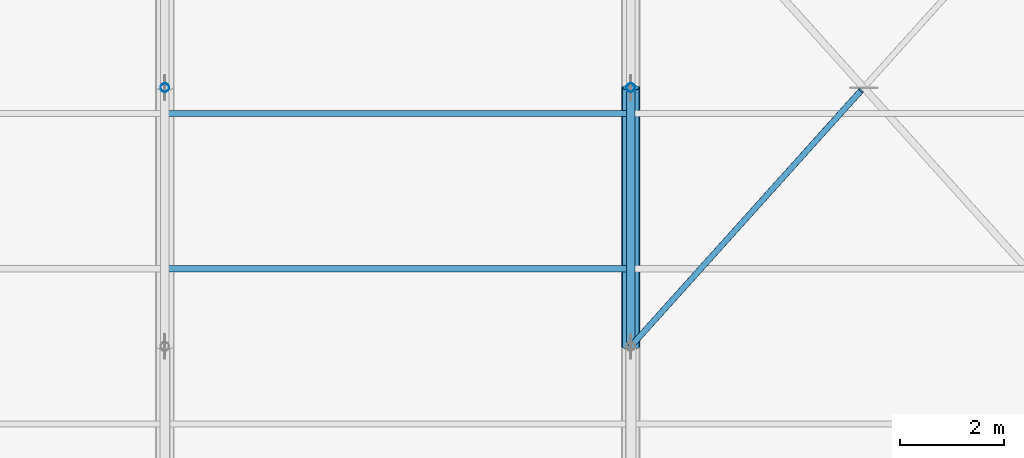
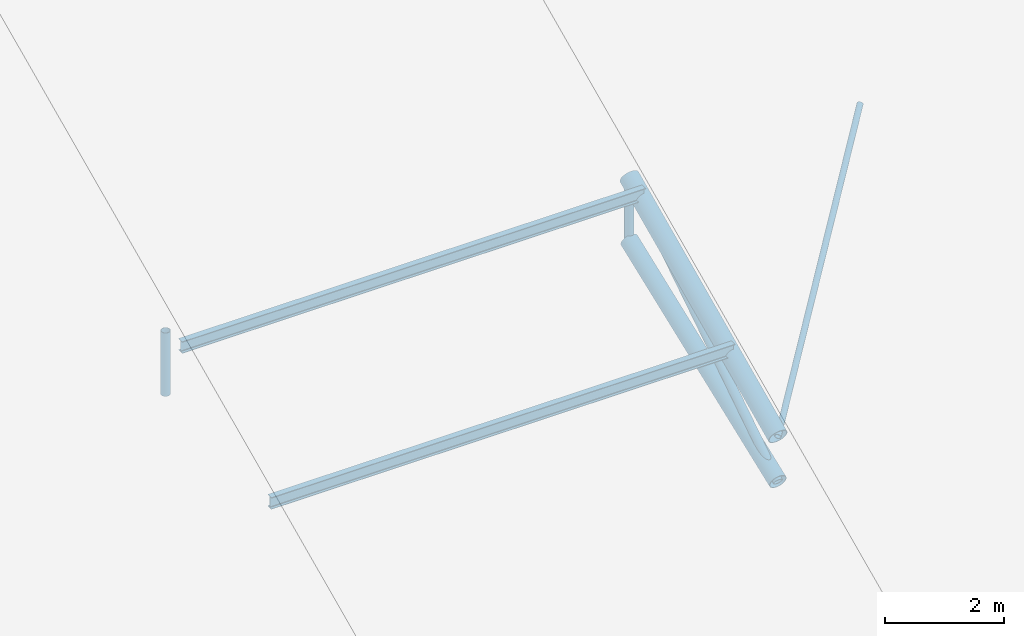
# One storey, part 32 of 107: 8 members.
"""IFC4 building model written with IfcOpenShell, lengths in metres."""

from ifc_helpers import new_model, si_unit, derived_unit, direction, frame, origin, origin_2d, place, context, subcontext, project, spatial, hollow_circle, i_section, extrude, material, material_profile, profile_set, type_object, element, save


model = new_model("IFC4")

# Units and contexts
model_context = context("Model", 3, precision=1e-05, world=origin(), true_north=direction((0.0, 1.0)))
body_context = subcontext(model_context, "Body", "Model", "MODEL_VIEW")
ifc_project = project(units=[si_unit("LENGTHUNIT", "METRE"), si_unit("AREAUNIT", "SQUARE_METRE"), si_unit("VOLUMEUNIT", "CUBIC_METRE"), si_unit("PLANEANGLEUNIT", "RADIAN"), si_unit("MASSUNIT", "GRAM", prefix="KILO"), si_unit("THERMODYNAMICTEMPERATUREUNIT", "KELVIN"), si_unit("TIMEUNIT", "SECOND"), derived_unit("THERMALTRANSMITTANCEUNIT", [(si_unit("MASSUNIT", "GRAM", prefix="KILO"), 1), (si_unit("THERMODYNAMICTEMPERATUREUNIT", "KELVIN"), -1), (si_unit("TIMEUNIT", "SECOND"), -3)])], contexts=[model_context])

# Site, building, storey
site_placement = place(None, origin())
site = spatial("IfcSite", under=ifc_project, at=site_placement, CompositionType="ELEMENT")
building_placement = place(site_placement, origin())
building = spatial("IfcBuilding", under=site, at=building_placement, Name="Cambertide Market Hall", CompositionType="ELEMENT")
storey_placement = place(building_placement, frame((0.0, 0.0, 18.300048828125)))
storey = spatial("IfcBuildingStorey", under=building, at=storey_placement, Name="RF", CompositionType="ELEMENT", Elevation=18.300048828125)

# Members
ifc_material_1 = material(Name="Steel S355", Category="steel")
ifc_material_profile_1 = material_profile(ifc_material_1, hollow_circle(Radius=0.161865234375, WallThickness=0.010009765625, at=origin_2d()), Name="CHS 323.9x10")
ifc_profile_set_1 = profile_set([ifc_material_profile_1], Name="Steel S355")
member_type_1 = type_object("IfcMemberType", Name="Arched Truss Chord CHS 323.9x10", PredefinedType="CHORD", material=ifc_profile_set_1)
member_1_placement = place(storey_placement, frame((96.0, 57.0, -8.1767578125), z_axis=(0.0, 0.933191676524, 0.359379040661), x_axis=(-1.0, 0.0, 0.0)))
element("IfcMember", 1, at=member_1_placement, inside=storey, type_object=member_type_1, Name="Roof Truss 7 Arched Bottom Chord 2", PredefinedType="CHORD", context=body_context, shape_type="SweptSolid", body=[
    extrude(hollow_circle(Radius=0.161865234375, WallThickness=0.010009765625, at=origin_2d()), origin(), (0.0, 0.0, 1.0), 5.35791015625),
])
ifc_material_2 = material(Name="Steel S355", Category="steel")
ifc_material_profile_2 = material_profile(ifc_material_2, hollow_circle(Radius=0.177734375, WallThickness=0.012451171875, at=origin_2d()), Name="CHS 355.6x12.5")
ifc_profile_set_2 = profile_set([ifc_material_profile_2], Name="Steel S355")
member_type_2 = type_object("IfcMemberType", Name="Arched Truss Chord CHS 355.6x12.5", PredefinedType="CHORD", material=ifc_profile_set_2)
member_2_placement = place(storey_placement, frame((96.0, 57.0, -7.25), z_axis=(0.0, 0.908487084298, 0.417912930721), x_axis=(-1.0, 0.0, 0.0)))
element("IfcMember", 2, at=member_2_placement, inside=storey, type_object=member_type_2, Name="Roof Truss 7 Top Chord 2", PredefinedType="CHORD", context=body_context, shape_type="SweptSolid", body=[
    extrude(hollow_circle(Radius=0.177734375, WallThickness=0.012451171875, at=origin_2d()), origin(), (0.0, 0.0, 1.0), 5.503662109375),
])
ifc_material_3 = material(Name="Steel S275", Category="steel")
ifc_material_profile_3 = material_profile(ifc_material_3, i_section(OverallWidth=0.1201171875, OverallDepth=0.239990234375, WebThickness=0.006103515625, FlangeThickness=0.009765625, FilletRadius=0.014892578125, at=origin_2d()), Name="IPE 240")
ifc_profile_set_3 = profile_set([ifc_material_profile_3], Name="Steel S275")
member_type_3 = type_object("IfcMemberType", Name="Roof Purlin IPE 240", PredefinedType="PURLIN", material=ifc_profile_set_3)
for number, where, z_axis, x_axis, name in (
    (3, (87.0, 58.5, -6.35009765625), (1.0, 0.0, 0.0), (0.0, 1.0, 0.0), "Barrel Roof Purlin 6-04"),
    (4, (87.0, 61.5, -4.969970703125), (1.0, 0.0, 0.0), (0.0, 1.0, 0.0), "Barrel Roof Purlin 6-05"),
):
    element("IfcMember", number, at=place(storey_placement, frame(where, z_axis=z_axis, x_axis=x_axis)), inside=storey, type_object=member_type_3, Name=name, PredefinedType="PURLIN", context=body_context, shape_type="SweptSolid", body=[
        extrude(i_section(OverallWidth=0.1201171875, OverallDepth=0.239990234375, WebThickness=0.006103515625, FlangeThickness=0.009765625, FilletRadius=0.014892578125, at=origin_2d()), origin(), (0.0, 0.0, 1.0), 9.0),
    ])
ifc_material_4 = material(Name="Steel S275", Category="steel")
ifc_material_profile_4 = material_profile(ifc_material_4, hollow_circle(Radius=0.05712890625, WallThickness=0.0048828125, at=origin_2d()), Name="CHS 114.3x5")
ifc_profile_set_4 = profile_set([ifc_material_profile_4], Name="Steel S275")
member_type_4 = type_object("IfcMemberType", Name="Structural Brace CHS 114.3x5", PredefinedType="BRACE", material=ifc_profile_set_4)
member_3_placement = place(storey_placement, frame((100.45068359375, 61.945068359375, -4.975341796875), z_axis=(-0.632999690254, -0.703313698634, -0.323513884481), x_axis=(0.743285022771, -0.66897486868, 0.0)))
element("IfcMember", 5, at=member_3_placement, inside=storey, type_object=member_type_4, Name="Roof Wind X-Brace Split Segment 7-S2B", PredefinedType="BRACE", context=body_context, shape_type="SweptSolid", body=[
    extrude(hollow_circle(Radius=0.05712890625, WallThickness=0.0048828125, at=origin_2d()), origin(), (0.0, 0.0, 1.0), 7.031005859375),
])
ifc_material_5 = material(Name="Steel S355", Category="steel")
ifc_material_profile_5 = material_profile(ifc_material_5, hollow_circle(Radius=0.084228515625, WallThickness=0.00634765625, at=origin_2d()), Name="CHS 168.3x6.3")
ifc_profile_set_5 = profile_set([ifc_material_profile_5], Name="Steel S355")
member_type_5 = type_object("IfcMemberType", Name="Structural Brace CHS 168.3x6.3", PredefinedType="BRACE", material=ifc_profile_set_5)
member_4_placement = place(storey_placement, frame((87.0, 62.0, -6.251220703125), z_axis=(0.0, 0.0, 1.0), x_axis=(1.0, 0.0, 0.0)))
element("IfcMember", 6, at=member_4_placement, inside=storey, type_object=member_type_5, Name="Roof Truss 6 Web Post 3", PredefinedType="BRACE", context=body_context, shape_type="SweptSolid", body=[
    extrude(hollow_circle(Radius=0.084228515625, WallThickness=0.00634765625, at=origin_2d()), origin(), (0.0, 0.0, 1.0), 1.30126953125),
])
member_5_placement = place(storey_placement, frame((96.0, 57.0, -8.1767578125), z_axis=(0.0, 0.840220073362, 0.542245542462), x_axis=(-1.0, 0.0, 0.0)))
element("IfcMember", 7, at=member_5_placement, inside=storey, type_object=member_type_5, Name="Roof Truss 7 Web Diagonal 2", PredefinedType="BRACE", context=body_context, shape_type="SweptSolid", body=[
    extrude(hollow_circle(Radius=0.084228515625, WallThickness=0.00634765625, at=origin_2d()), origin(), (0.0, 0.0, 1.0), 5.950927734375),
])
member_6_placement = place(storey_placement, frame((96.0, 62.0, -6.251220703125), z_axis=(0.0, 0.0, 1.0), x_axis=(1.0, 0.0, 0.0)))
element("IfcMember", 8, at=member_6_placement, inside=storey, type_object=member_type_5, Name="Roof Truss 7 Web Post 3", PredefinedType="BRACE", context=body_context, shape_type="SweptSolid", body=[
    extrude(hollow_circle(Radius=0.084228515625, WallThickness=0.00634765625, at=origin_2d()), origin(), (0.0, 0.0, 1.0), 1.30126953125),
])

save(model, "model.ifc")
